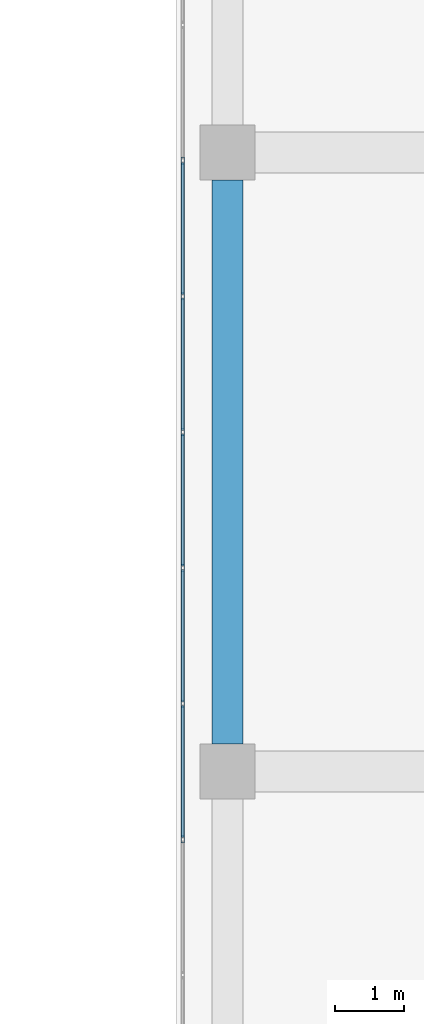
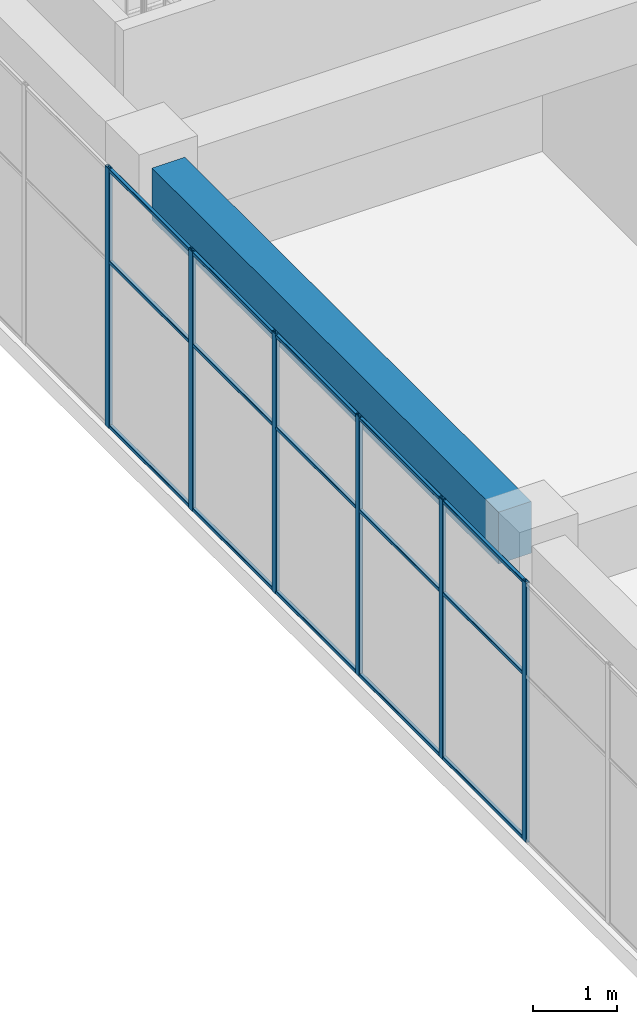
# One storey, part 27 of 55: 21 members, 1 beam, 1 element without a shape of its own.
"""IFC4 building model written with IfcOpenShell, lengths in metres."""

from ifc_helpers import new_model, si_unit, direction, frame, origin, origin_2d, place, context, subcontext, project, spatial, rectangle, hollow_rectangle, extrude, material, layer, layer_set, material_profile, profile_set, type_object, element, aggregate, save


model = new_model("IFC4")

# Units and contexts
model_context = context("Model", 3, precision=1e-05, world=origin(), true_north=direction((0.0, 1.0)))
body_context = subcontext(model_context, "Body", "Model", "MODEL_VIEW")
ifc_project = project(units=[si_unit("LENGTHUNIT", "METRE"), si_unit("AREAUNIT", "SQUARE_METRE"), si_unit("VOLUMEUNIT", "CUBIC_METRE"), si_unit("PLANEANGLEUNIT", "RADIAN"), si_unit("MASSUNIT", "GRAM", prefix="KILO")], contexts=[model_context])

# Site, building, storey
site_placement = place(None, origin())
site = spatial("IfcSite", under=ifc_project, at=site_placement, CompositionType="ELEMENT")
building_placement = place(site_placement, origin())
building = spatial("IfcBuilding", under=site, at=building_placement, Name="Tuart Plaza Theatre", CompositionType="ELEMENT")
storey_placement = place(building_placement, frame((0.0, 0.0, 21.5)))
storey = spatial("IfcBuildingStorey", under=building, at=storey_placement, Name="L05", CompositionType="ELEMENT", Elevation=21.5)

# Beam
ifc_material_1 = material(Name="Concrete N40 (40 MPa)", Category="concrete")
ifc_material_profile_1 = material_profile(ifc_material_1, rectangle(XDim=0.449951171875, YDim=0.75, at=origin_2d()), Name="BEAM 450x750 Concrete N40 (40 MPa)")
ifc_profile_set_1 = profile_set([ifc_material_profile_1], Name="Concrete N40 (40 MPa)")
beam_type = type_object("IfcBeamType", Name="BEAM 450x750 Concrete N40 (40 MPa)", PredefinedType="BEAM", material=ifc_profile_set_1)
beam_placement = place(storey_placement, frame((114.0, 74.39990234375, 3.375), z_axis=(0.0, 1.0, 0.0), x_axis=(-1.0, 0.0, 0.0)))
element("IfcBeam", 1, at=beam_placement, inside=storey, type_object=beam_type, Name="RB211", PredefinedType="BEAM", context=body_context, shape_type="SweptSolid", body=[
    extrude(rectangle(XDim=0.449951171875, YDim=0.75, at=origin_2d()), origin(), (0.0, 0.0, 1.0), 8.2001953125),
])

# Curtain wall, members
ifc_material_2 = material(Name="Aluminium and glass", Category="aluminium")
ifc_layer = layer(ifc_material_2, 0.10009765625)
ifc_layer_set = layer_set([ifc_layer], Name="CURTAIN WALL 2000 module")
curtain_wall_type = type_object("IfcCurtainWallType", Name="CURTAIN WALL 2000 module", PredefinedType="NOTDEFINED", material=ifc_layer_set)
curtain_wall_placement = place(storey_placement, origin())
curtain_wall = element("IfcCurtainWall", 2, at=curtain_wall_placement, inside=storey, type_object=curtain_wall_type, Name="CW86", PredefinedType="NOTDEFINED")
ifc_material_3 = material(Name="Aluminium 6063-T5", Category="aluminium")
ifc_material_profile_2 = material_profile(ifc_material_3, hollow_rectangle(XDim=0.050048828125, YDim=0.10009765625, WallThickness=0.00390625, InnerFilletRadius=0.00390625, OuterFilletRadius=0.008056640625, at=origin_2d()), Name="RHS 100x50x4")
ifc_profile_set_2 = profile_set([ifc_material_profile_2], Name="Aluminium 6063-T5")
member_type_1 = type_object("IfcMemberType", Name="MULLION RHS 100x50x4", PredefinedType="MULLION", material=ifc_profile_set_2)
member_1_placement = place(storey_placement, frame((113.35009765625, 82.881591796875, 0.0), z_axis=(0.0, 0.0, 1.0), x_axis=(1.0, 0.0, 0.0)))
member_1 = element("IfcMember", 3, at=member_1_placement, type_object=member_type_1, Name="CW86 mullion 6", PredefinedType="MULLION", context=body_context, shape_type="SweptSolid", body=[
    extrude(hollow_rectangle(XDim=0.050048828125, YDim=0.10009765625, WallThickness=0.00390625, InnerFilletRadius=0.00390625, OuterFilletRadius=0.008056640625, at=origin_2d()), origin(), (0.0, 0.0, 1.0), 3.75),
])
member_2_placement = place(storey_placement, frame((113.35009765625, 80.907958984375, 0.0), z_axis=(0.0, 0.0, 1.0), x_axis=(1.0, 0.0, 0.0)))
member_2 = element("IfcMember", 4, at=member_2_placement, type_object=member_type_1, Name="CW86 mullion 7", PredefinedType="MULLION", context=body_context, shape_type="SweptSolid", body=[
    extrude(hollow_rectangle(XDim=0.050048828125, YDim=0.10009765625, WallThickness=0.00390625, InnerFilletRadius=0.00390625, OuterFilletRadius=0.008056640625, at=origin_2d()), origin(), (0.0, 0.0, 1.0), 3.75),
])
member_3_placement = place(storey_placement, frame((113.35009765625, 78.934326171875, 0.0), z_axis=(0.0, 0.0, 1.0), x_axis=(1.0, 0.0, 0.0)))
member_3 = element("IfcMember", 5, at=member_3_placement, type_object=member_type_1, Name="CW86 mullion 8", PredefinedType="MULLION", context=body_context, shape_type="SweptSolid", body=[
    extrude(hollow_rectangle(XDim=0.050048828125, YDim=0.10009765625, WallThickness=0.00390625, InnerFilletRadius=0.00390625, OuterFilletRadius=0.008056640625, at=origin_2d()), origin(), (0.0, 0.0, 1.0), 3.75),
])
member_4_placement = place(storey_placement, frame((113.35009765625, 76.96044921875, 0.0), z_axis=(0.0, 0.0, 1.0), x_axis=(1.0, 0.0, 0.0)))
member_4 = element("IfcMember", 6, at=member_4_placement, type_object=member_type_1, Name="CW86 mullion 9", PredefinedType="MULLION", context=body_context, shape_type="SweptSolid", body=[
    extrude(hollow_rectangle(XDim=0.050048828125, YDim=0.10009765625, WallThickness=0.00390625, InnerFilletRadius=0.00390625, OuterFilletRadius=0.008056640625, at=origin_2d()), origin(), (0.0, 0.0, 1.0), 3.75),
])
member_5_placement = place(storey_placement, frame((113.35009765625, 74.98681640625, 0.0), z_axis=(0.0, 0.0, 1.0), x_axis=(1.0, 0.0, 0.0)))
member_5 = element("IfcMember", 7, at=member_5_placement, type_object=member_type_1, Name="CW86 mullion 10", PredefinedType="MULLION", context=body_context, shape_type="SweptSolid", body=[
    extrude(hollow_rectangle(XDim=0.050048828125, YDim=0.10009765625, WallThickness=0.00390625, InnerFilletRadius=0.00390625, OuterFilletRadius=0.008056640625, at=origin_2d()), origin(), (0.0, 0.0, 1.0), 3.75),
])
member_6_placement = place(storey_placement, frame((113.35009765625, 73.01318359375, 0.0), z_axis=(0.0, 0.0, 1.0), x_axis=(1.0, 0.0, 0.0)))
member_6 = element("IfcMember", 8, at=member_6_placement, type_object=member_type_1, Name="CW86 mullion 11", PredefinedType="MULLION", context=body_context, shape_type="SweptSolid", body=[
    extrude(hollow_rectangle(XDim=0.050048828125, YDim=0.10009765625, WallThickness=0.00390625, InnerFilletRadius=0.00390625, OuterFilletRadius=0.008056640625, at=origin_2d()), origin(), (0.0, 0.0, 1.0), 3.75),
])
ifc_material_4 = material(Name="Aluminium 6063-T5", Category="aluminium")
ifc_material_profile_3 = material_profile(ifc_material_4, hollow_rectangle(XDim=0.050048828125, YDim=0.050048828125, WallThickness=0.00390625, InnerFilletRadius=0.00390625, OuterFilletRadius=0.008056640625, at=origin_2d()), Name="RHS 50x50x4")
ifc_profile_set_3 = profile_set([ifc_material_profile_3], Name="Aluminium 6063-T5")
member_type_2 = type_object("IfcMemberType", Name="TRANSOM RHS 50x50x4", PredefinedType="USERDEFINED", material=ifc_profile_set_3)
member_7_placement = place(storey_placement, frame((113.35009765625, 82.856689453125, 0.02490234375), z_axis=(0.0, -1.0, 0.0), x_axis=(1.0, 0.0, 0.0)))
member_7 = element("IfcMember", 9, at=member_7_placement, type_object=member_type_2, Name="CW86 transom 6.1", ObjectType="TRANSOM", PredefinedType="USERDEFINED", context=body_context, shape_type="SweptSolid", body=[
    extrude(hollow_rectangle(XDim=0.050048828125, YDim=0.050048828125, WallThickness=0.00390625, InnerFilletRadius=0.00390625, OuterFilletRadius=0.008056640625, at=origin_2d()), origin(), (0.0, 0.0, 1.0), 1.923828125),
])
member_8_placement = place(storey_placement, frame((113.35009765625, 82.856689453125, 2.39990234375), z_axis=(0.0, -1.0, 0.0), x_axis=(1.0, 0.0, 0.0)))
member_8 = element("IfcMember", 10, at=member_8_placement, type_object=member_type_2, Name="CW86 transom 6.2", ObjectType="TRANSOM", PredefinedType="USERDEFINED", context=body_context, shape_type="SweptSolid", body=[
    extrude(hollow_rectangle(XDim=0.050048828125, YDim=0.050048828125, WallThickness=0.00390625, InnerFilletRadius=0.00390625, OuterFilletRadius=0.008056640625, at=origin_2d()), origin(), (0.0, 0.0, 1.0), 1.923828125),
])
member_9_placement = place(storey_placement, frame((113.35009765625, 82.856689453125, 3.72509765625), z_axis=(0.0, -1.0, 0.0), x_axis=(1.0, 0.0, 0.0)))
member_9 = element("IfcMember", 11, at=member_9_placement, type_object=member_type_2, Name="CW86 transom 6.3", ObjectType="TRANSOM", PredefinedType="USERDEFINED", context=body_context, shape_type="SweptSolid", body=[
    extrude(hollow_rectangle(XDim=0.050048828125, YDim=0.050048828125, WallThickness=0.00390625, InnerFilletRadius=0.00390625, OuterFilletRadius=0.008056640625, at=origin_2d()), origin(), (0.0, 0.0, 1.0), 1.923828125),
])
member_10_placement = place(storey_placement, frame((113.35009765625, 80.8828125, 0.02490234375), z_axis=(0.0, -1.0, 0.0), x_axis=(1.0, 0.0, 0.0)))
member_10 = element("IfcMember", 12, at=member_10_placement, type_object=member_type_2, Name="CW86 transom 7.1", ObjectType="TRANSOM", PredefinedType="USERDEFINED", context=body_context, shape_type="SweptSolid", body=[
    extrude(hollow_rectangle(XDim=0.050048828125, YDim=0.050048828125, WallThickness=0.00390625, InnerFilletRadius=0.00390625, OuterFilletRadius=0.008056640625, at=origin_2d()), origin(), (0.0, 0.0, 1.0), 1.923583984375),
])
member_11_placement = place(storey_placement, frame((113.35009765625, 80.8828125, 2.39990234375), z_axis=(0.0, -1.0, 0.0), x_axis=(1.0, 0.0, 0.0)))
member_11 = element("IfcMember", 13, at=member_11_placement, type_object=member_type_2, Name="CW86 transom 7.2", ObjectType="TRANSOM", PredefinedType="USERDEFINED", context=body_context, shape_type="SweptSolid", body=[
    extrude(hollow_rectangle(XDim=0.050048828125, YDim=0.050048828125, WallThickness=0.00390625, InnerFilletRadius=0.00390625, OuterFilletRadius=0.008056640625, at=origin_2d()), origin(), (0.0, 0.0, 1.0), 1.923583984375),
])
member_12_placement = place(storey_placement, frame((113.35009765625, 80.8828125, 3.72509765625), z_axis=(0.0, -1.0, 0.0), x_axis=(1.0, 0.0, 0.0)))
member_12 = element("IfcMember", 14, at=member_12_placement, type_object=member_type_2, Name="CW86 transom 7.3", ObjectType="TRANSOM", PredefinedType="USERDEFINED", context=body_context, shape_type="SweptSolid", body=[
    extrude(hollow_rectangle(XDim=0.050048828125, YDim=0.050048828125, WallThickness=0.00390625, InnerFilletRadius=0.00390625, OuterFilletRadius=0.008056640625, at=origin_2d()), origin(), (0.0, 0.0, 1.0), 1.923583984375),
])
member_13_placement = place(storey_placement, frame((113.35009765625, 78.9091796875, 0.02490234375), z_axis=(0.0, -1.0, 0.0), x_axis=(1.0, 0.0, 0.0)))
member_13 = element("IfcMember", 15, at=member_13_placement, type_object=member_type_2, Name="CW86 transom 8.1", ObjectType="TRANSOM", PredefinedType="USERDEFINED", context=body_context, shape_type="SweptSolid", body=[
    extrude(hollow_rectangle(XDim=0.050048828125, YDim=0.050048828125, WallThickness=0.00390625, InnerFilletRadius=0.00390625, OuterFilletRadius=0.008056640625, at=origin_2d()), origin(), (0.0, 0.0, 1.0), 1.923583984375),
])
member_14_placement = place(storey_placement, frame((113.35009765625, 78.9091796875, 2.39990234375), z_axis=(0.0, -1.0, 0.0), x_axis=(1.0, 0.0, 0.0)))
member_14 = element("IfcMember", 16, at=member_14_placement, type_object=member_type_2, Name="CW86 transom 8.2", ObjectType="TRANSOM", PredefinedType="USERDEFINED", context=body_context, shape_type="SweptSolid", body=[
    extrude(hollow_rectangle(XDim=0.050048828125, YDim=0.050048828125, WallThickness=0.00390625, InnerFilletRadius=0.00390625, OuterFilletRadius=0.008056640625, at=origin_2d()), origin(), (0.0, 0.0, 1.0), 1.923583984375),
])
member_15_placement = place(storey_placement, frame((113.35009765625, 78.9091796875, 3.72509765625), z_axis=(0.0, -1.0, 0.0), x_axis=(1.0, 0.0, 0.0)))
member_15 = element("IfcMember", 17, at=member_15_placement, type_object=member_type_2, Name="CW86 transom 8.3", ObjectType="TRANSOM", PredefinedType="USERDEFINED", context=body_context, shape_type="SweptSolid", body=[
    extrude(hollow_rectangle(XDim=0.050048828125, YDim=0.050048828125, WallThickness=0.00390625, InnerFilletRadius=0.00390625, OuterFilletRadius=0.008056640625, at=origin_2d()), origin(), (0.0, 0.0, 1.0), 1.923583984375),
])
member_16_placement = place(storey_placement, frame((113.35009765625, 76.935546875, 0.02490234375), z_axis=(0.0, -1.0, 0.0), x_axis=(1.0, 0.0, 0.0)))
member_16 = element("IfcMember", 18, at=member_16_placement, type_object=member_type_2, Name="CW86 transom 9.1", ObjectType="TRANSOM", PredefinedType="USERDEFINED", context=body_context, shape_type="SweptSolid", body=[
    extrude(hollow_rectangle(XDim=0.050048828125, YDim=0.050048828125, WallThickness=0.00390625, InnerFilletRadius=0.00390625, OuterFilletRadius=0.008056640625, at=origin_2d()), origin(), (0.0, 0.0, 1.0), 1.923583984375),
])
member_17_placement = place(storey_placement, frame((113.35009765625, 76.935546875, 2.39990234375), z_axis=(0.0, -1.0, 0.0), x_axis=(1.0, 0.0, 0.0)))
member_17 = element("IfcMember", 19, at=member_17_placement, type_object=member_type_2, Name="CW86 transom 9.2", ObjectType="TRANSOM", PredefinedType="USERDEFINED", context=body_context, shape_type="SweptSolid", body=[
    extrude(hollow_rectangle(XDim=0.050048828125, YDim=0.050048828125, WallThickness=0.00390625, InnerFilletRadius=0.00390625, OuterFilletRadius=0.008056640625, at=origin_2d()), origin(), (0.0, 0.0, 1.0), 1.923583984375),
])
member_18_placement = place(storey_placement, frame((113.35009765625, 76.935546875, 3.72509765625), z_axis=(0.0, -1.0, 0.0), x_axis=(1.0, 0.0, 0.0)))
member_18 = element("IfcMember", 20, at=member_18_placement, type_object=member_type_2, Name="CW86 transom 9.3", ObjectType="TRANSOM", PredefinedType="USERDEFINED", context=body_context, shape_type="SweptSolid", body=[
    extrude(hollow_rectangle(XDim=0.050048828125, YDim=0.050048828125, WallThickness=0.00390625, InnerFilletRadius=0.00390625, OuterFilletRadius=0.008056640625, at=origin_2d()), origin(), (0.0, 0.0, 1.0), 1.923583984375),
])
member_19_placement = place(storey_placement, frame((113.35009765625, 74.9619140625, 0.02490234375), z_axis=(0.0, -1.0, 0.0), x_axis=(1.0, 0.0, 0.0)))
member_19 = element("IfcMember", 21, at=member_19_placement, type_object=member_type_2, Name="CW86 transom 10.1", ObjectType="TRANSOM", PredefinedType="USERDEFINED", context=body_context, shape_type="SweptSolid", body=[
    extrude(hollow_rectangle(XDim=0.050048828125, YDim=0.050048828125, WallThickness=0.00390625, InnerFilletRadius=0.00390625, OuterFilletRadius=0.008056640625, at=origin_2d()), origin(), (0.0, 0.0, 1.0), 1.923828125),
])
member_20_placement = place(storey_placement, frame((113.35009765625, 74.9619140625, 2.39990234375), z_axis=(0.0, -1.0, 0.0), x_axis=(1.0, 0.0, 0.0)))
member_20 = element("IfcMember", 22, at=member_20_placement, type_object=member_type_2, Name="CW86 transom 10.2", ObjectType="TRANSOM", PredefinedType="USERDEFINED", context=body_context, shape_type="SweptSolid", body=[
    extrude(hollow_rectangle(XDim=0.050048828125, YDim=0.050048828125, WallThickness=0.00390625, InnerFilletRadius=0.00390625, OuterFilletRadius=0.008056640625, at=origin_2d()), origin(), (0.0, 0.0, 1.0), 1.923828125),
])
member_21_placement = place(storey_placement, frame((113.35009765625, 74.9619140625, 3.72509765625), z_axis=(0.0, -1.0, 0.0), x_axis=(1.0, 0.0, 0.0)))
member_21 = element("IfcMember", 23, at=member_21_placement, type_object=member_type_2, Name="CW86 transom 10.3", ObjectType="TRANSOM", PredefinedType="USERDEFINED", context=body_context, shape_type="SweptSolid", body=[
    extrude(hollow_rectangle(XDim=0.050048828125, YDim=0.050048828125, WallThickness=0.00390625, InnerFilletRadius=0.00390625, OuterFilletRadius=0.008056640625, at=origin_2d()), origin(), (0.0, 0.0, 1.0), 1.923828125),
])
aggregate(curtain_wall, [member_1, member_2, member_3, member_4, member_5, member_6, member_7, member_8, member_9, member_10, member_11, member_12, member_13, member_14, member_15, member_16, member_17, member_18, member_19, member_20, member_21])

save(model, "model.ifc")
